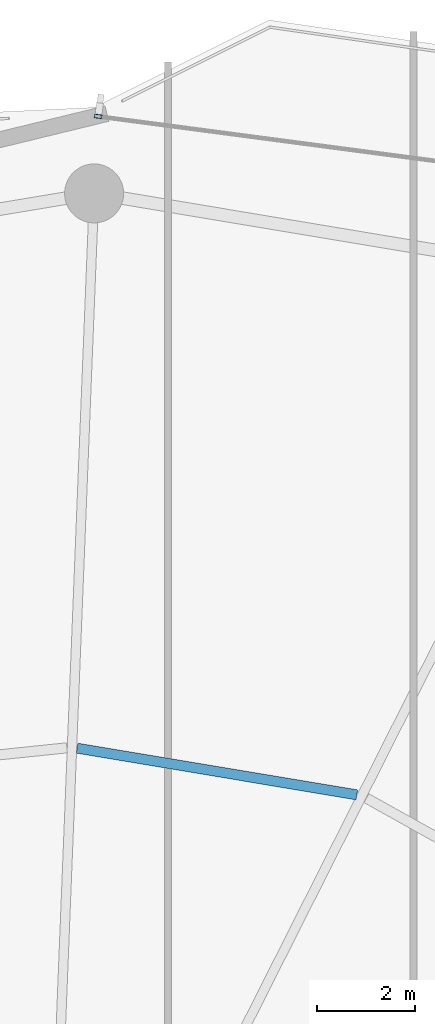
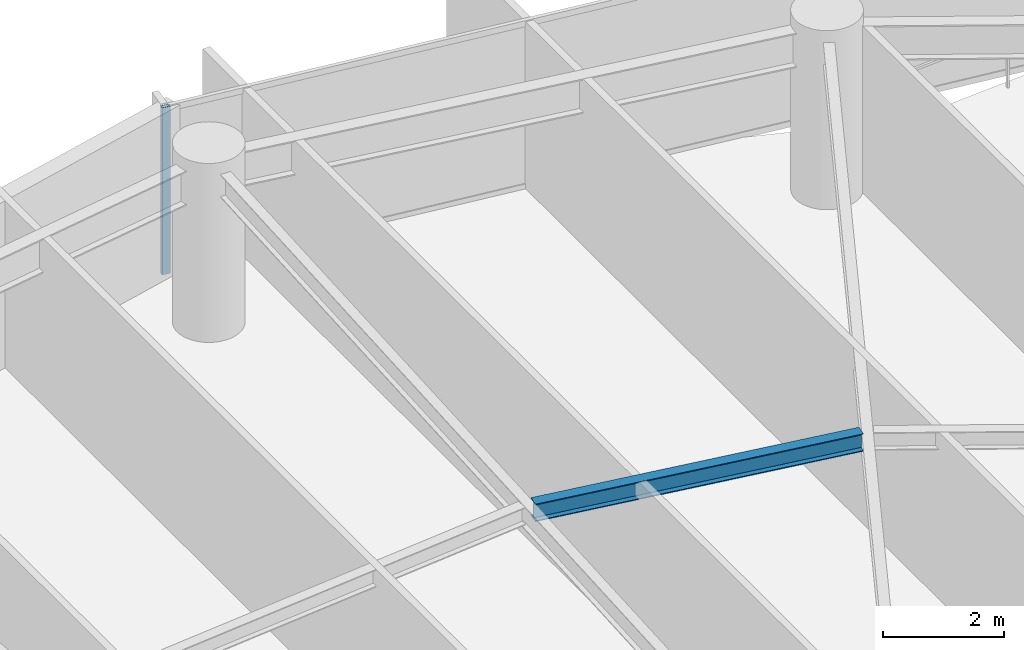
# One storey, part 20 of 30: 1 beam, 1 member, 1 element without a shape of its own.
"""IFC4 building model written with IfcOpenShell, lengths in metres."""

from ifc_helpers import new_model, si_unit, direction, frame, origin, origin_2d, place, context, subcontext, project, spatial, hollow_rectangle, i_section, extrude, material, layer, layer_set, material_profile, profile_set, type_object, element, aggregate, save


model = new_model("IFC4")

# Units and contexts
model_context = context("Model", 3, precision=1e-05, world=origin(), true_north=direction((0.0, 1.0)))
body_context = subcontext(model_context, "Body", "Model", "MODEL_VIEW")
ifc_project = project(units=[si_unit("LENGTHUNIT", "METRE"), si_unit("AREAUNIT", "SQUARE_METRE"), si_unit("VOLUMEUNIT", "CUBIC_METRE"), si_unit("PLANEANGLEUNIT", "RADIAN"), si_unit("MASSUNIT", "GRAM", prefix="KILO")], contexts=[model_context])

# Site, building, storey
site_placement = place(None, origin())
site = spatial("IfcSite", under=ifc_project, at=site_placement, CompositionType="ELEMENT")
building_placement = place(site_placement, origin())
building = spatial("IfcBuilding", under=site, at=building_placement, Name="Kazevale Care Tower and Concert Hall", CompositionType="ELEMENT")
storey_placement = place(building_placement, frame((0.0, 0.0, 127.800048828125)))
storey = spatial("IfcBuildingStorey", under=building, at=storey_placement, Name="L33", CompositionType="ELEMENT", Elevation=127.800048828125)

# Curtain wall, member
ifc_material_1 = material(Name="Aluminium 6063-T6 and Low-E Glass", Category="aluminium")
ifc_layer = layer(ifc_material_1, 0.179931640625)
ifc_layer_set = layer_set([ifc_layer], Name="Aluminium 6063-T6 and Low-E Glass")
curtain_wall_type = type_object("IfcCurtainWallType", Name="Convex Recessed Sunroom Curtain Wall CW-3", PredefinedType="NOTDEFINED", material=ifc_layer_set)
curtain_wall_placement = place(storey_placement, origin())
curtain_wall = element("IfcCurtainWall", 1, at=curtain_wall_placement, inside=storey, type_object=curtain_wall_type, Name="cw:L33:f16", PredefinedType="NOTDEFINED")
ifc_material_2 = material(Name="Aluminium 6063-T6", Category="aluminium")
ifc_material_profile_1 = material_profile(ifc_material_2, hollow_rectangle(XDim=0.074951171875, YDim=0.14990234375, WallThickness=0.00390625, at=origin_2d()), Name="ALU75x150x4")
ifc_profile_set_1 = profile_set([ifc_material_profile_1], Name="Aluminium 6063-T6")
member_type = type_object("IfcMemberType", Name="CW-3 Mullion ALU75x150x4", PredefinedType="MULLION", material=ifc_profile_set_1)
member_placement = place(storey_placement, frame((45.084228515625, 63.01708984375, 0.0), z_axis=(0.0, 0.0, 1.0), x_axis=(0.130822374277, 0.991405823257, 0.0)))
member = element("IfcMember", 2, at=member_placement, type_object=member_type, Name="CW-3 mullion 1", PredefinedType="MULLION", context=body_context, shape_type="SweptSolid", body=[
    extrude(hollow_rectangle(XDim=0.074951171875, YDim=0.14990234375, WallThickness=0.00390625, at=origin_2d()), origin(), (0.0, 0.0, 1.0), 3.35986328125),
])
aggregate(curtain_wall, [member])

# Beam
ifc_material_3 = material(Name="Steel ASTM A572 Gr 50", Category="steel")
ifc_material_profile_2 = material_profile(ifc_material_3, i_section(OverallWidth=0.205078125, OverallDepth=0.35400390625, WebThickness=0.009521484375, FlangeThickness=0.016845703125, at=origin_2d()), Name="W360x79")
ifc_profile_set_2 = profile_set([ifc_material_profile_2], Name="Steel ASTM A572 Gr 50")
beam_type = type_object("IfcBeamType", Name="Secondary Floor Joist W360x79", PredefinedType="JOIST", material=ifc_profile_set_2)
beam_placement = place(storey_placement, frame((50.347900390625, 49.2099609375, 3.182861328125), z_axis=(-0.986366476547, 0.164563586324, 0.0), x_axis=(-0.164563586324, -0.986366476547, 0.0)))
element("IfcBeam", 3, at=beam_placement, inside=storey, type_object=beam_type, Name="beam:L33:joist:04", PredefinedType="JOIST", context=body_context, shape_type="SweptSolid", body=[
    extrude(i_section(OverallWidth=0.205078125, OverallDepth=0.35400390625, WebThickness=0.009521484375, FlangeThickness=0.016845703125, at=origin_2d()), origin(), (0.0, 0.0, 1.0), 5.7724609375),
])

save(model, "model.ifc")
